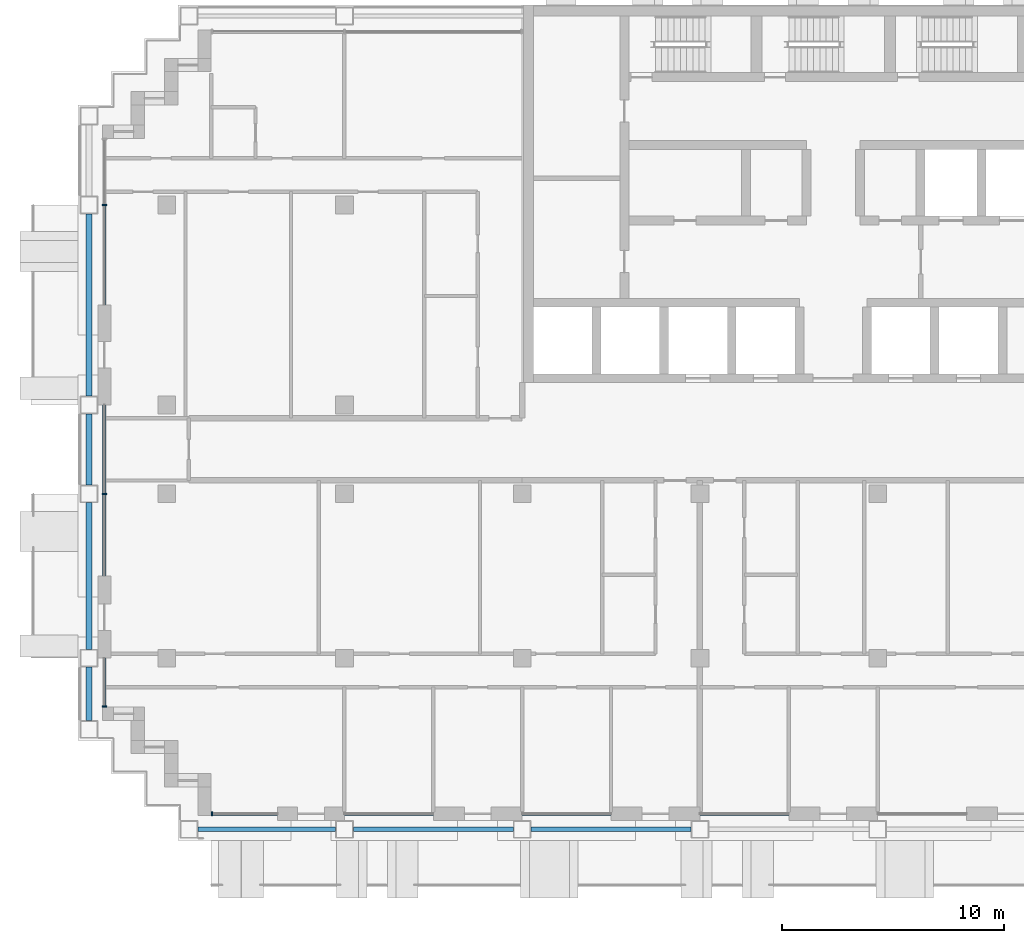
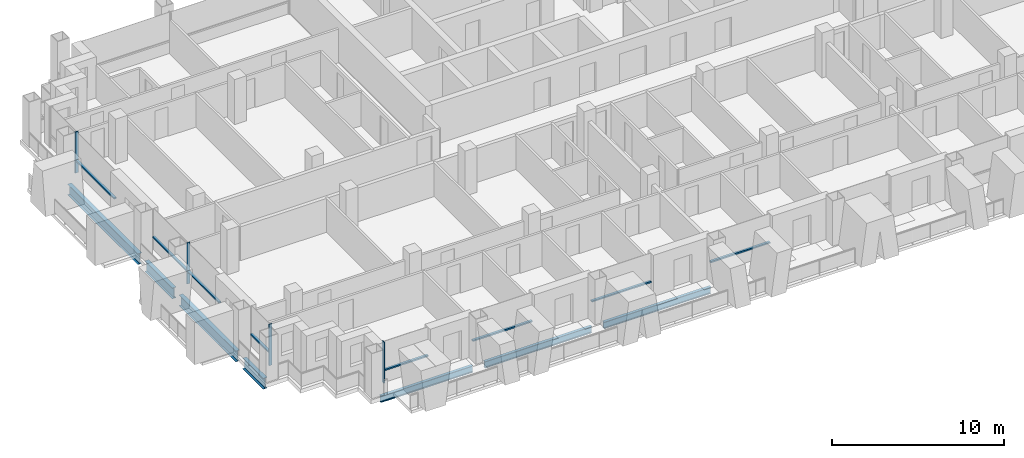
# One storey, part 2 of 16: 12 members, 7 beams, 7 elements without a shape of their own.
"""IFC4 building model written with IfcOpenShell, lengths in metres."""

from ifc_helpers import new_model, si_unit, direction, frame, origin, origin_2d, place, context, subcontext, project, spatial, rectangle, i_section, extrude, material, material_profile, profile_set, type_object, element, aggregate, save


model = new_model("IFC4")

# Units and contexts
model_context = context("Model", 3, precision=1e-05, world=origin(), true_north=direction((0.0, 1.0)))
body_context = subcontext(model_context, "Body", "Model", "MODEL_VIEW")
ifc_project = project(units=[si_unit("LENGTHUNIT", "METRE"), si_unit("AREAUNIT", "SQUARE_METRE"), si_unit("VOLUMEUNIT", "CUBIC_METRE"), si_unit("PLANEANGLEUNIT", "RADIAN"), si_unit("MASSUNIT", "GRAM", prefix="KILO")], contexts=[model_context])

# Site, building, storey
site_placement = place(None, origin())
site = spatial("IfcSite", under=ifc_project, at=site_placement, CompositionType="ELEMENT")
building_placement = place(site_placement, origin())
building = spatial("IfcBuilding", under=site, at=building_placement, Name="Vidyagriha Tower", CompositionType="ELEMENT")
storey_placement = place(building_placement, frame((0.0, 0.0, 129.39990234375)))
storey = spatial("IfcBuildingStorey", under=building, at=storey_placement, Name="L33", CompositionType="ELEMENT", Elevation=129.39990234375)

# Beams
ifc_material_1 = material(Name="Steel ASTM A992 Grade 50", Category="steel")
ifc_material_profile_1 = material_profile(ifc_material_1, i_section(OverallWidth=0.2666015625, OverallDepth=0.76953125, WebThickness=0.015625, FlangeThickness=0.025390625, at=origin_2d()), Name="W30X132")
ifc_profile_set_1 = profile_set([ifc_material_profile_1], Name="Steel ASTM A992 Grade 50")
beam_type_1 = type_object("IfcBeamType", Name="Cantilever edge beam W30X132", PredefinedType="SPANDREL", material=ifc_profile_set_1)
beam_1_placement = place(storey_placement, frame((-33.5, -12.199951171875, -0.664794921875), z_axis=(0.0, 1.0, 0.0), x_axis=(-1.0, 0.0, 0.0)))
element("IfcBeam", 1, at=beam_1_placement, inside=storey, type_object=beam_type_1, Name="st-beam-L33-W09", PredefinedType="SPANDREL", context=body_context, shape_type="SweptSolid", body=[
    extrude(i_section(OverallWidth=0.2666015625, OverallDepth=0.76953125, WebThickness=0.015625, FlangeThickness=0.025390625, at=origin_2d()), origin(), (0.0, 0.0, 1.0), 2.39990234375),
])
beam_2_placement = place(storey_placement, frame((-33.5, -9.0, -0.664794921875), z_axis=(0.0, 1.0, 0.0), x_axis=(-1.0, 0.0, 0.0)))
element("IfcBeam", 2, at=beam_2_placement, inside=storey, type_object=beam_type_1, Name="st-beam-L33-W10", PredefinedType="SPANDREL", context=body_context, shape_type="SweptSolid", body=[
    extrude(i_section(OverallWidth=0.2666015625, OverallDepth=0.76953125, WebThickness=0.015625, FlangeThickness=0.025390625, at=origin_2d()), origin(), (0.0, 0.0, 1.0), 6.60009765625),
])
beam_3_placement = place(storey_placement, frame((-33.5, -1.60009765625, -0.664794921875), z_axis=(0.0, 1.0, 0.0), x_axis=(-1.0, 0.0, 0.0)))
element("IfcBeam", 3, at=beam_3_placement, inside=storey, type_object=beam_type_1, Name="st-beam-L33-W11", PredefinedType="SPANDREL", context=body_context, shape_type="SweptSolid", body=[
    extrude(i_section(OverallWidth=0.2666015625, OverallDepth=0.76953125, WebThickness=0.015625, FlangeThickness=0.025390625, at=origin_2d()), origin(), (0.0, 0.0, 1.0), 3.2001953125),
])
beam_4_placement = place(storey_placement, frame((-33.5, 2.39990234375, -0.664794921875), z_axis=(0.0, 1.0, 0.0), x_axis=(-1.0, 0.0, 0.0)))
element("IfcBeam", 4, at=beam_4_placement, inside=storey, type_object=beam_type_1, Name="st-beam-L33-W12", PredefinedType="SPANDREL", context=body_context, shape_type="SweptSolid", body=[
    extrude(i_section(OverallWidth=0.2666015625, OverallDepth=0.76953125, WebThickness=0.015625, FlangeThickness=0.025390625, at=origin_2d()), origin(), (0.0, 0.0, 1.0), 8.2001953125),
])
ifc_material_2 = material(Name="Steel ASTM A992 Grade 50", Category="steel")
ifc_material_profile_2 = material_profile(ifc_material_2, i_section(OverallWidth=0.19189453125, OverallDepth=0.46240234375, WebThickness=0.010498046875, FlangeThickness=0.017578125, at=origin_2d()), Name="W18X60")
ifc_profile_set_2 = profile_set([ifc_material_profile_2], Name="Steel ASTM A992 Grade 50")
beam_type_2 = type_object("IfcBeamType", Name="Edge beam W18X60", PredefinedType="SPANDREL", material=ifc_profile_set_2)
beam_5_placement = place(storey_placement, frame((-28.60009765625, -17.10009765625, -0.510986328125), z_axis=(1.0, 0.0, 0.0), x_axis=(0.0, 1.0, 0.0)))
element("IfcBeam", 5, at=beam_5_placement, inside=storey, type_object=beam_type_2, Name="st-beam-L33-S01", PredefinedType="SPANDREL", context=body_context, shape_type="SweptSolid", body=[
    extrude(i_section(OverallWidth=0.19189453125, OverallDepth=0.46240234375, WebThickness=0.010498046875, FlangeThickness=0.017578125, at=origin_2d()), origin(), (0.0, 0.0, 1.0), 6.2001953125),
])
for number, where, z_axis, x_axis, name in (
    (6, (-21.60009765625, -17.10009765625, -0.510986328125), (1.0, 0.0, 0.0), (0.0, 1.0, 0.0), "st-beam-L33-S02"),
    (7, (-13.60009765625, -17.10009765625, -0.510986328125), (1.0, 0.0, 0.0), (0.0, 1.0, 0.0), "st-beam-L33-S03"),
):
    element("IfcBeam", number, at=place(storey_placement, frame(where, z_axis=z_axis, x_axis=x_axis)), inside=storey, type_object=beam_type_2, Name=name, PredefinedType="SPANDREL", context=body_context, shape_type="SweptSolid", body=[
        extrude(i_section(OverallWidth=0.19189453125, OverallDepth=0.46240234375, WebThickness=0.010498046875, FlangeThickness=0.017578125, at=origin_2d()), origin(), (0.0, 0.0, 1.0), 7.2001953125),
    ])

# Curtain wall, member
ifc_material_3 = material(Name="Aluminium and glass curtain wall", Category="aluminium")
curtain_wall_type = type_object("IfcCurtainWallType", Name="Dwelling skin unitised curtain wall", PredefinedType="USERDEFINED", material=ifc_material_3)
curtain_wall_1_placement = place(storey_placement, origin())
curtain_wall_1 = element("IfcCurtainWall", 8, at=curtain_wall_1_placement, inside=storey, type_object=curtain_wall_type, Name="CW1 dwelling skin", ObjectType="UNITISED", PredefinedType="USERDEFINED")
ifc_material_4 = material(Name="Aluminium black anodised", Category="aluminium")
ifc_material_profile_3 = material_profile(ifc_material_4, rectangle(XDim=0.199951171875, YDim=0.070068359375, at=origin_2d()), Name="Mullion 70x200 black aluminium")
ifc_profile_set_3 = profile_set([ifc_material_profile_3], Name="Aluminium black anodised")
member_type_1 = type_object("IfcMemberType", Name="Mullion 70x200 black aluminium", PredefinedType="MULLION", material=ifc_profile_set_3)
member_1_placement = place(storey_placement, frame((-32.800048828125, 11.0, 0.0)))
member_1 = element("IfcMember", 9, at=member_1_placement, type_object=member_type_1, Name="CW1 mullion 2", PredefinedType="MULLION", context=body_context, shape_type="SweptSolid", body=[
    extrude(rectangle(XDim=0.199951171875, YDim=0.070068359375, at=origin_2d()), origin(), (0.0, 0.0, 1.0), 2.920166015625),
])

curtain_wall_2_placement = place(storey_placement, origin())
curtain_wall_2 = element("IfcCurtainWall", 10, at=curtain_wall_2_placement, inside=storey, type_object=curtain_wall_type, Name="CW1 dwelling skin", ObjectType="UNITISED", PredefinedType="USERDEFINED")
member_2_placement = place(storey_placement, frame((-32.800048828125, -2.0, 0.0)))
member_2 = element("IfcMember", 11, at=member_2_placement, type_object=member_type_1, Name="CW1 mullion 2", PredefinedType="MULLION", context=body_context, shape_type="SweptSolid", body=[
    extrude(rectangle(XDim=0.199951171875, YDim=0.070068359375, at=origin_2d()), origin(), (0.0, 0.0, 1.0), 2.920166015625),
])

curtain_wall_3_placement = place(storey_placement, origin())
curtain_wall_3 = element("IfcCurtainWall", 12, at=curtain_wall_3_placement, inside=storey, type_object=curtain_wall_type, Name="CW1 dwelling skin", ObjectType="UNITISED", PredefinedType="USERDEFINED")
member_3_placement = place(storey_placement, frame((-32.800048828125, -11.56494140625, 0.0)))
member_3 = element("IfcMember", 13, at=member_3_placement, type_object=member_type_1, Name="CW1 mullion 2", PredefinedType="MULLION", context=body_context, shape_type="SweptSolid", body=[
    extrude(rectangle(XDim=0.199951171875, YDim=0.070068359375, at=origin_2d()), origin(), (0.0, 0.0, 1.0), 2.920166015625),
])

curtain_wall_4_placement = place(storey_placement, origin())
curtain_wall_4 = element("IfcCurtainWall", 14, at=curtain_wall_4_placement, inside=storey, type_object=curtain_wall_type, Name="CW1 dwelling skin", ObjectType="UNITISED", PredefinedType="USERDEFINED")
member_4_placement = place(storey_placement, frame((-27.965087890625, -16.39990234375, 0.0), z_axis=(0.0, 0.0, 1.0), x_axis=(0.0, 1.0, 0.0)))
member_4 = element("IfcMember", 15, at=member_4_placement, type_object=member_type_1, Name="CW1 mullion 1", PredefinedType="MULLION", context=body_context, shape_type="SweptSolid", body=[
    extrude(rectangle(XDim=0.199951171875, YDim=0.070068359375, at=origin_2d()), origin(), (0.0, 0.0, 1.0), 2.920166015625),
])

# Member
ifc_material_5 = material(Name="Aluminium black anodised", Category="aluminium")
ifc_material_profile_4 = material_profile(ifc_material_5, rectangle(XDim=0.159912109375, YDim=0.10009765625, at=origin_2d()), Name="Transom 100x160 black aluminium")
ifc_profile_set_4 = profile_set([ifc_material_profile_4], Name="Aluminium black anodised")
member_type_2 = type_object("IfcMemberType", Name="Transom 100x160 black aluminium", PredefinedType="USERDEFINED", material=ifc_profile_set_4)
member_5_placement = place(storey_placement, frame((-32.800048828125, 10.965087890625, 0.900146484375), z_axis=(0.0, -1.0, 0.0), x_axis=(1.0, 0.0, 0.0)))
member_5 = element("IfcMember", 16, at=member_5_placement, type_object=member_type_2, Name="CW1 transom 2.1", ObjectType="TRANSOM", PredefinedType="USERDEFINED", context=body_context, shape_type="SweptSolid", body=[
    extrude(rectangle(XDim=0.159912109375, YDim=0.10009765625, at=origin_2d()), origin(), (0.0, 0.0, 1.0), 4.465087890625),
])

aggregate(curtain_wall_1, [member_1, member_5])

member_6_placement = place(storey_placement, frame((-32.800048828125, 2.0, 0.900146484375), z_axis=(0.0, -1.0, 0.0), x_axis=(1.0, 0.0, 0.0)))
member_6 = element("IfcMember", 17, at=member_6_placement, type_object=member_type_2, Name="CW1 transom 1.1", ObjectType="TRANSOM", PredefinedType="USERDEFINED", context=body_context, shape_type="SweptSolid", body=[
    extrude(rectangle(XDim=0.159912109375, YDim=0.10009765625, at=origin_2d()), origin(), (0.0, 0.0, 1.0), 3.965087890625),
])

member_7_placement = place(storey_placement, frame((-32.800048828125, -2.034912109375, 0.900146484375), z_axis=(0.0, -1.0, 0.0), x_axis=(1.0, 0.0, 0.0)))
member_7 = element("IfcMember", 18, at=member_7_placement, type_object=member_type_2, Name="CW1 transom 2.1", ObjectType="TRANSOM", PredefinedType="USERDEFINED", context=body_context, shape_type="SweptSolid", body=[
    extrude(rectangle(XDim=0.159912109375, YDim=0.10009765625, at=origin_2d()), origin(), (0.0, 0.0, 1.0), 3.6650390625),
])

aggregate(curtain_wall_2, [member_2, member_6, member_7])

member_8_placement = place(storey_placement, frame((-32.800048828125, -9.39990234375, 0.900146484375), z_axis=(0.0, -1.0, 0.0), x_axis=(1.0, 0.0, 0.0)))
member_8 = element("IfcMember", 19, at=member_8_placement, type_object=member_type_2, Name="CW1 transom 1.1", ObjectType="TRANSOM", PredefinedType="USERDEFINED", context=body_context, shape_type="SweptSolid", body=[
    extrude(rectangle(XDim=0.159912109375, YDim=0.10009765625, at=origin_2d()), origin(), (0.0, 0.0, 1.0), 2.130126953125),
])

aggregate(curtain_wall_3, [member_3, member_8])

member_9_placement = place(storey_placement, frame((-27.929931640625, -16.39990234375, 0.900146484375), z_axis=(1.0, 0.0, 0.0), x_axis=(0.0, 1.0, 0.0)))
member_9 = element("IfcMember", 20, at=member_9_placement, type_object=member_type_2, Name="CW1 transom 1.1", ObjectType="TRANSOM", PredefinedType="USERDEFINED", context=body_context, shape_type="SweptSolid", body=[
    extrude(rectangle(XDim=0.159912109375, YDim=0.10009765625, at=origin_2d()), origin(), (0.0, 0.0, 1.0), 2.929931640625),
])

aggregate(curtain_wall_4, [member_4, member_9])

# Curtain wall, member
curtain_wall_5_placement = place(storey_placement, origin())
curtain_wall_5 = element("IfcCurtainWall", 21, at=curtain_wall_5_placement, inside=storey, type_object=curtain_wall_type, Name="CW1 dwelling skin", ObjectType="UNITISED", PredefinedType="USERDEFINED")
member_10_placement = place(storey_placement, frame((-22.0, -16.39990234375, 0.900146484375), z_axis=(1.0, 0.0, 0.0), x_axis=(0.0, 1.0, 0.0)))
member_10 = element("IfcMember", 22, at=member_10_placement, type_object=member_type_2, Name="CW1 transom 1.1", ObjectType="TRANSOM", PredefinedType="USERDEFINED", context=body_context, shape_type="SweptSolid", body=[
    extrude(rectangle(XDim=0.159912109375, YDim=0.10009765625, at=origin_2d()), origin(), (0.0, 0.0, 1.0), 4.0),
])
aggregate(curtain_wall_5, [member_10])

curtain_wall_6_placement = place(storey_placement, origin())
curtain_wall_6 = element("IfcCurtainWall", 23, at=curtain_wall_6_placement, inside=storey, type_object=curtain_wall_type, Name="CW1 dwelling skin", ObjectType="UNITISED", PredefinedType="USERDEFINED")
member_11_placement = place(storey_placement, frame((-14.0, -16.39990234375, 0.900146484375), z_axis=(1.0, 0.0, 0.0), x_axis=(0.0, 1.0, 0.0)))
member_11 = element("IfcMember", 24, at=member_11_placement, type_object=member_type_2, Name="CW1 transom 1.1", ObjectType="TRANSOM", PredefinedType="USERDEFINED", context=body_context, shape_type="SweptSolid", body=[
    extrude(rectangle(XDim=0.159912109375, YDim=0.10009765625, at=origin_2d()), origin(), (0.0, 0.0, 1.0), 4.0),
])
aggregate(curtain_wall_6, [member_11])

curtain_wall_7_placement = place(storey_placement, origin())
curtain_wall_7 = element("IfcCurtainWall", 25, at=curtain_wall_7_placement, inside=storey, type_object=curtain_wall_type, Name="CW1 dwelling skin", ObjectType="UNITISED", PredefinedType="USERDEFINED")
member_12_placement = place(storey_placement, frame((-6.0, -16.39990234375, 0.900146484375), z_axis=(1.0, 0.0, 0.0), x_axis=(0.0, 1.0, 0.0)))
member_12 = element("IfcMember", 26, at=member_12_placement, type_object=member_type_2, Name="CW1 transom 1.1", ObjectType="TRANSOM", PredefinedType="USERDEFINED", context=body_context, shape_type="SweptSolid", body=[
    extrude(rectangle(XDim=0.159912109375, YDim=0.10009765625, at=origin_2d()), origin(), (0.0, 0.0, 1.0), 4.0),
])
aggregate(curtain_wall_7, [member_12])

save(model, "model.ifc")
